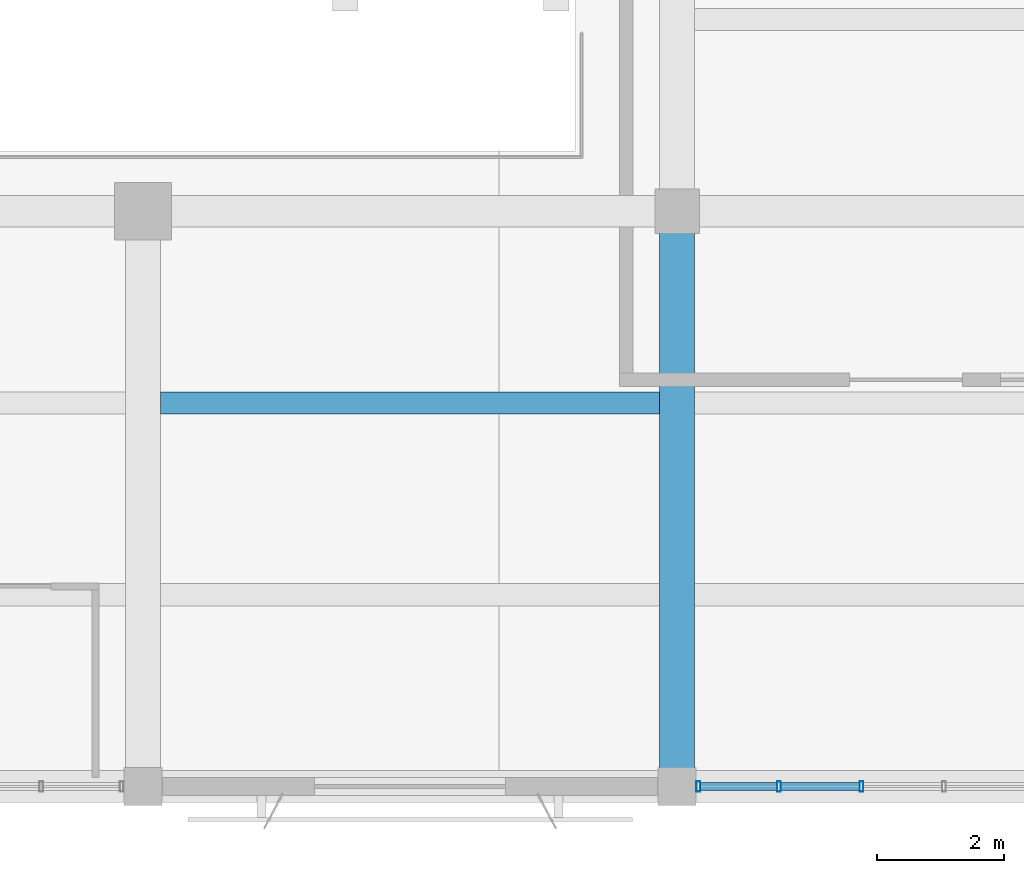
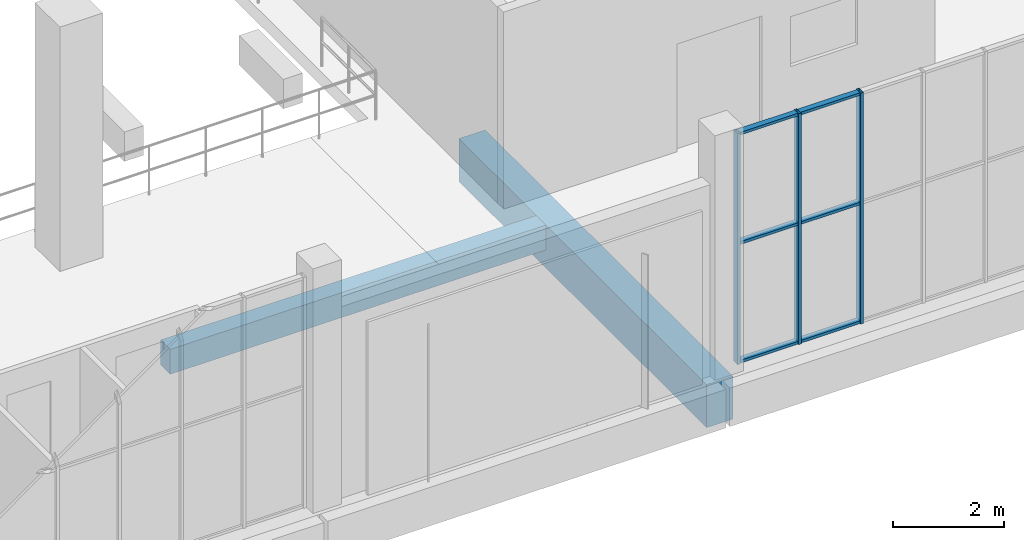
# One storey, part 29 of 132: 9 members, 2 beams, 1 element without a shape of its own.
"""IFC4 building model written with IfcOpenShell, lengths in metres."""

from ifc_helpers import new_model, si_unit, direction, frame, origin, origin_2d, place, context, subcontext, project, spatial, rectangle, hollow_rectangle, extrude, material, material_profile, profile_set, type_object, element, aggregate, save


model = new_model("IFC4")

# Units and contexts
model_context = context("Model", 3, precision=1e-05, world=origin(), true_north=direction((0.0, 1.0)))
body_context = subcontext(model_context, "Body", "Model", "MODEL_VIEW")
ifc_project = project(units=[si_unit("LENGTHUNIT", "METRE"), si_unit("AREAUNIT", "SQUARE_METRE"), si_unit("VOLUMEUNIT", "CUBIC_METRE"), si_unit("PLANEANGLEUNIT", "RADIAN"), si_unit("MASSUNIT", "GRAM", prefix="KILO")], contexts=[model_context])

# Site, building, storey
site_placement = place(None, origin())
site = spatial("IfcSite", under=ifc_project, at=site_placement, CompositionType="ELEMENT")
building_placement = place(site_placement, origin())
building = spatial("IfcBuilding", under=site, at=building_placement, Name="Khurvash Pelagic Aquarium", CompositionType="ELEMENT")
storey_placement = place(building_placement, frame((0.0, 0.0, 5.39990234375)))
storey = spatial("IfcBuildingStorey", under=building, at=storey_placement, Name="L01", CompositionType="ELEMENT", Elevation=5.39990234375)

# Beam
ifc_material_1 = material(Name="Concrete C40/50", Category="concrete")
ifc_material_profile_1 = material_profile(ifc_material_1, rectangle(XDim=0.550048828125, YDim=0.949951171875, at=origin_2d()), Name="RC550X950")
ifc_profile_set_1 = profile_set([ifc_material_profile_1], Name="Concrete C40/50")
beam_type_1 = type_object("IfcBeamType", Name="BM-02", PredefinedType="BEAM", material=ifc_profile_set_1)
beam_1_placement = place(storey_placement, frame((84.0, 2.639892578125, -0.784912109375), z_axis=(0.0, 1.0, 0.0), x_axis=(-1.0, 0.0, 0.0)))
element("IfcBeam", 1, at=beam_1_placement, inside=storey, type_object=beam_type_1, Name="L01 Primary Girder BM-02 00402", PredefinedType="BEAM", context=body_context, shape_type="SweptSolid", body=[
    extrude(rectangle(XDim=0.550048828125, YDim=0.949951171875, at=origin_2d()), origin(), (0.0, 0.0, 1.0), 8.97021484375),
])

# Curtain wall, members
ifc_material_2 = material(Name="Anodised aluminium and low-E laminated glass", Category="aluminium")
curtain_wall_type = type_object("IfcCurtainWallType", Name="CW-05", PredefinedType="USERDEFINED", material=ifc_material_2)
curtain_wall_placement = place(storey_placement, origin())
curtain_wall = element("IfcCurtainWall", 2, at=curtain_wall_placement, inside=storey, type_object=curtain_wall_type, Name="L01 Facade Unitised Curtain Wall CW-05 0106", ObjectType="UNITISED CURTAIN WALL", PredefinedType="USERDEFINED")
ifc_material_3 = material(Name="Extruded aluminium AW-6063-T6", Category="aluminium")
ifc_material_profile_2 = material_profile(ifc_material_3, hollow_rectangle(XDim=0.06005859375, YDim=0.159912109375, WallThickness=0.00390625, at=origin_2d()), Name="CWM60X160X4")
ifc_profile_set_2 = profile_set([ifc_material_profile_2], Name="Extruded aluminium AW-6063-T6")
member_type_1 = type_object("IfcMemberType", Name="CM-02", PredefinedType="MULLION", material=ifc_profile_set_2)
member_1_placement = place(storey_placement, frame((84.3349609375, 2.60009765625, 0.0), z_axis=(0.0, 0.0, 1.0), x_axis=(1.0, 0.0, 0.0)))
member_1 = element("IfcMember", 3, at=member_1_placement, type_object=member_type_1, Name="CW-05 mullion 1", PredefinedType="MULLION", context=body_context, shape_type="SweptSolid", body=[
    extrude(hollow_rectangle(XDim=0.06005859375, YDim=0.159912109375, WallThickness=0.00390625, at=origin_2d()), origin(), (0.0, 0.0, 1.0), 5.10009765625),
])
member_2_placement = place(storey_placement, frame((85.603271484375, 2.60009765625, 0.0), z_axis=(0.0, 0.0, 1.0), x_axis=(1.0, 0.0, 0.0)))
member_2 = element("IfcMember", 4, at=member_2_placement, type_object=member_type_1, Name="CW-05 mullion 2", PredefinedType="MULLION", context=body_context, shape_type="SweptSolid", body=[
    extrude(hollow_rectangle(XDim=0.06005859375, YDim=0.159912109375, WallThickness=0.00390625, at=origin_2d()), origin(), (0.0, 0.0, 1.0), 5.10009765625),
])
member_3_placement = place(storey_placement, frame((86.901611328125, 2.60009765625, 0.0), z_axis=(0.0, 0.0, 1.0), x_axis=(1.0, 0.0, 0.0)))
member_3 = element("IfcMember", 5, at=member_3_placement, type_object=member_type_1, Name="CW-05 mullion 3", PredefinedType="MULLION", context=body_context, shape_type="SweptSolid", body=[
    extrude(hollow_rectangle(XDim=0.06005859375, YDim=0.159912109375, WallThickness=0.00390625, at=origin_2d()), origin(), (0.0, 0.0, 1.0), 5.10009765625),
])
ifc_material_profile_3 = material_profile(ifc_material_3, hollow_rectangle(XDim=0.1201171875, YDim=0.06005859375, WallThickness=0.00390625, at=origin_2d()), Name="CWT120X60X4")
ifc_profile_set_3 = profile_set([ifc_material_profile_3], Name="Extruded aluminium AW-6063-T6")
member_type_2 = type_object("IfcMemberType", Name="CT-02", PredefinedType="USERDEFINED", material=ifc_profile_set_3)
member_4_placement = place(storey_placement, frame((84.364990234375, 2.60009765625, 0.030029296875), z_axis=(1.0, 0.0, 0.0), x_axis=(0.0, 1.0, 0.0)))
member_4 = element("IfcMember", 6, at=member_4_placement, type_object=member_type_2, Name="CW-05 transom 1.1", ObjectType="TRANSOM", PredefinedType="USERDEFINED", context=body_context, shape_type="SweptSolid", body=[
    extrude(hollow_rectangle(XDim=0.1201171875, YDim=0.06005859375, WallThickness=0.00390625, at=origin_2d()), origin(), (0.0, 0.0, 1.0), 1.208251953125),
])
member_5_placement = place(storey_placement, frame((84.364990234375, 2.60009765625, 2.652099609375), z_axis=(1.0, 0.0, 0.0), x_axis=(0.0, 1.0, 0.0)))
member_5 = element("IfcMember", 7, at=member_5_placement, type_object=member_type_2, Name="CW-05 transom 1.2", ObjectType="TRANSOM", PredefinedType="USERDEFINED", context=body_context, shape_type="SweptSolid", body=[
    extrude(hollow_rectangle(XDim=0.1201171875, YDim=0.06005859375, WallThickness=0.00390625, at=origin_2d()), origin(), (0.0, 0.0, 1.0), 1.208251953125),
])
member_6_placement = place(storey_placement, frame((84.364990234375, 2.60009765625, 5.070068359375), z_axis=(1.0, 0.0, 0.0), x_axis=(0.0, 1.0, 0.0)))
member_6 = element("IfcMember", 8, at=member_6_placement, type_object=member_type_2, Name="CW-05 transom 1.3", ObjectType="TRANSOM", PredefinedType="USERDEFINED", context=body_context, shape_type="SweptSolid", body=[
    extrude(hollow_rectangle(XDim=0.1201171875, YDim=0.06005859375, WallThickness=0.00390625, at=origin_2d()), origin(), (0.0, 0.0, 1.0), 1.208251953125),
])
member_7_placement = place(storey_placement, frame((85.63330078125, 2.60009765625, 0.030029296875), z_axis=(1.0, 0.0, 0.0), x_axis=(0.0, 1.0, 0.0)))
member_7 = element("IfcMember", 9, at=member_7_placement, type_object=member_type_2, Name="CW-05 transom 2.1", ObjectType="TRANSOM", PredefinedType="USERDEFINED", context=body_context, shape_type="SweptSolid", body=[
    extrude(hollow_rectangle(XDim=0.1201171875, YDim=0.06005859375, WallThickness=0.00390625, at=origin_2d()), origin(), (0.0, 0.0, 1.0), 1.23828125),
])
member_8_placement = place(storey_placement, frame((85.63330078125, 2.60009765625, 2.652099609375), z_axis=(1.0, 0.0, 0.0), x_axis=(0.0, 1.0, 0.0)))
member_8 = element("IfcMember", 10, at=member_8_placement, type_object=member_type_2, Name="CW-05 transom 2.2", ObjectType="TRANSOM", PredefinedType="USERDEFINED", context=body_context, shape_type="SweptSolid", body=[
    extrude(hollow_rectangle(XDim=0.1201171875, YDim=0.06005859375, WallThickness=0.00390625, at=origin_2d()), origin(), (0.0, 0.0, 1.0), 1.23828125),
])
member_9_placement = place(storey_placement, frame((85.63330078125, 2.60009765625, 5.070068359375), z_axis=(1.0, 0.0, 0.0), x_axis=(0.0, 1.0, 0.0)))
member_9 = element("IfcMember", 11, at=member_9_placement, type_object=member_type_2, Name="CW-05 transom 2.3", ObjectType="TRANSOM", PredefinedType="USERDEFINED", context=body_context, shape_type="SweptSolid", body=[
    extrude(hollow_rectangle(XDim=0.1201171875, YDim=0.06005859375, WallThickness=0.00390625, at=origin_2d()), origin(), (0.0, 0.0, 1.0), 1.23828125),
])
aggregate(curtain_wall, [member_1, member_2, member_3, member_4, member_5, member_6, member_7, member_8, member_9])

# Beam
ifc_material_4 = material(Name="Concrete C35/45", Category="concrete")
ifc_material_profile_4 = material_profile(ifc_material_4, rectangle(XDim=0.35009765625, YDim=0.550048828125, at=origin_2d()), Name="RC350X550")
ifc_profile_set_4 = profile_set([ifc_material_profile_4], Name="Concrete C35/45")
beam_type_2 = type_object("IfcBeamType", Name="JS-01", PredefinedType="JOIST", material=ifc_profile_set_4)
beam_2_placement = place(storey_placement, frame((75.875, 8.633056640625, -0.5849609375), z_axis=(1.0, 0.0, 0.0), x_axis=(0.0, 1.0, 0.0)))
element("IfcBeam", 12, at=beam_2_placement, inside=storey, type_object=beam_type_2, Name="L01 Floor Joist JS-01 00515", PredefinedType="JOIST", context=body_context, shape_type="SweptSolid", body=[
    extrude(rectangle(XDim=0.35009765625, YDim=0.550048828125, at=origin_2d()), origin(), (0.0, 0.0, 1.0), 7.85009765625),
])

save(model, "model.ifc")
